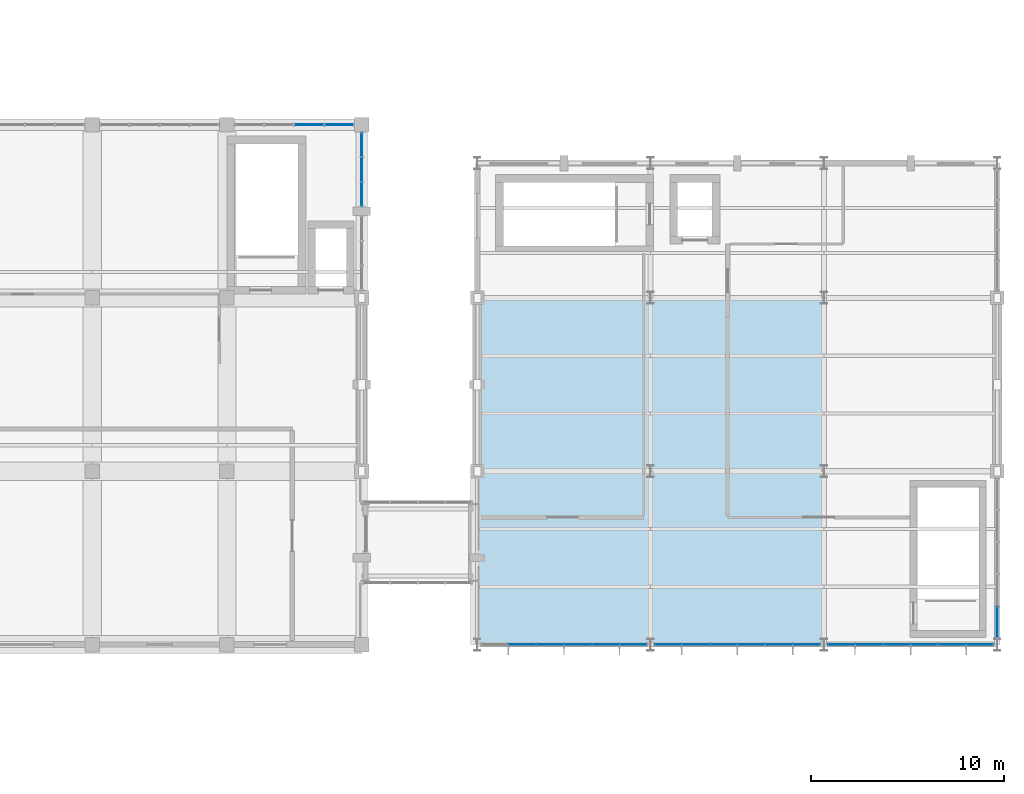
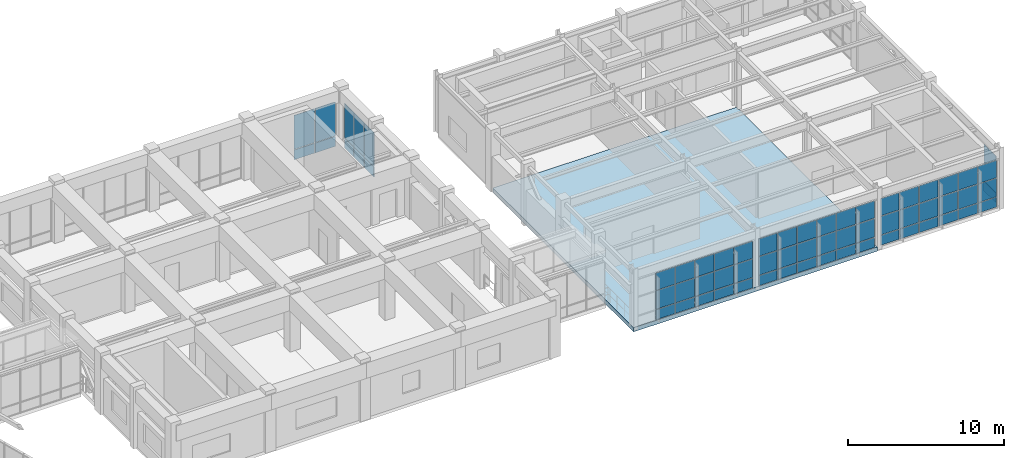
# One storey, part 77 of 99: 64 plates, 1 slab, 6 elements without a shape of their own.
"""IFC4 building model written with IfcOpenShell, lengths in metres."""

from ifc_helpers import new_model, si_unit, direction, frame, origin, origin_2d, place, context, subcontext, project, spatial, polyline, rectangle, outline, extrude, material, layer, layer_set, type_object, element, aggregate, save


model = new_model("IFC4")

# Units and contexts
model_context = context("Model", 3, precision=1e-05, world=origin(), true_north=direction((0.0, 1.0)))
body_context = subcontext(model_context, "Body", "Model", "MODEL_VIEW")
ifc_project = project(units=[si_unit("LENGTHUNIT", "METRE"), si_unit("AREAUNIT", "SQUARE_METRE"), si_unit("VOLUMEUNIT", "CUBIC_METRE"), si_unit("PLANEANGLEUNIT", "RADIAN"), si_unit("MASSUNIT", "GRAM", prefix="KILO")], contexts=[model_context])

# Site, building, storey
site_placement = place(None, origin())
site = spatial("IfcSite", under=ifc_project, at=site_placement, CompositionType="ELEMENT")
building_placement = place(site_placement, origin())
building = spatial("IfcBuilding", under=site, at=building_placement, Name="Ventoquebrada Cableway Terminal", CompositionType="ELEMENT")
storey_placement = place(building_placement, frame((0.0, 0.0, 9.60009765625)))
storey = spatial("IfcBuildingStorey", under=building, at=storey_placement, Name="L02", CompositionType="ELEMENT", Elevation=9.60009765625)

# Curtain wall, plate
ifc_material_1 = material(Name="Anodized thermally-broken aluminium", Category="aluminium")
ifc_layer_1 = layer(ifc_material_1, 0.159912109375)
ifc_layer_set_1 = layer_set([ifc_layer_1], Name="Anodized thermally-broken aluminium")
curtain_wall_type_1 = type_object("IfcCurtainWallType", Name="CW-T28", PredefinedType="USERDEFINED", material=ifc_layer_set_1)
curtain_wall_1_placement = place(storey_placement, origin())
curtain_wall_1 = element("IfcCurtainWall", 1, at=curtain_wall_1_placement, inside=storey, type_object=curtain_wall_type_1, Name="Unitised glazed curtain wall CW-068", ObjectType="UNITISED CURTAIN WALL", PredefinedType="USERDEFINED")
ifc_material_2 = material(Name="Double low-e laminated safety glazing", Category="glass")
ifc_layer_2 = layer(ifc_material_2, 0.031982421875)
ifc_layer_set_2 = layer_set([ifc_layer_2], Name="Double low-e laminated safety glazing")
plate_type_1 = type_object("IfcPlateType", Name="CWP-GL1", PredefinedType="CURTAIN_PANEL", material=ifc_layer_set_2)
plate_1_placement = place(storey_placement, frame((123.0, 101.675048828125, 0.874267578125), z_axis=(0.0, 0.0, 1.0), x_axis=(0.0, 1.0, 0.0)))
plate_1 = element("IfcPlate", 2, at=plate_1_placement, type_object=plate_type_1, Name="Vision glazing panel PN-0674", PredefinedType="CURTAIN_PANEL", context=body_context, shape_type="SweptSolid", body=[
    extrude(rectangle(XDim=1.248046875, YDim=0.031982421875, at=origin_2d()), origin(), (0.0, 0.0, 1.0), 2.64111328125),
])

ifc_layer_3 = layer(ifc_material_1, 0.159912109375)
ifc_layer_set_3 = layer_set([ifc_layer_3], Name="Anodized thermally-broken aluminium")
curtain_wall_type_2 = type_object("IfcCurtainWallType", Name="CW-T29", PredefinedType="USERDEFINED", material=ifc_layer_set_3)
curtain_wall_2_placement = place(storey_placement, origin())
curtain_wall_2 = element("IfcCurtainWall", 3, at=curtain_wall_2_placement, inside=storey, type_object=curtain_wall_type_2, Name="Unitised glazed curtain wall CW-072", ObjectType="UNITISED CURTAIN WALL", PredefinedType="USERDEFINED")
plate_2_placement = place(storey_placement, frame((120.280029296875, 104.0, 0.874267578125), z_axis=(0.0, 0.0, 1.0), x_axis=(-1.0, 0.0, 0.0)))
plate_2 = element("IfcPlate", 4, at=plate_2_placement, type_object=plate_type_1, Name="Vision glazing panel PN-0704", PredefinedType="CURTAIN_PANEL", context=body_context, shape_type="SweptSolid", body=[
    extrude(rectangle(XDim=1.510986328125, YDim=0.031982421875, at=origin_2d()), origin(), (0.0, 0.0, 1.0), 2.64111328125),
])

# Curtain wall, plates
ifc_layer_4 = layer(ifc_material_1, 0.159912109375)
ifc_layer_set_4 = layer_set([ifc_layer_4], Name="Anodized thermally-broken aluminium")
curtain_wall_type_3 = type_object("IfcCurtainWallType", Name="CW-T33", PredefinedType="USERDEFINED", material=ifc_layer_set_4)
curtain_wall_3_placement = place(storey_placement, origin())
curtain_wall_3 = element("IfcCurtainWall", 5, at=curtain_wall_3_placement, inside=storey, type_object=curtain_wall_type_3, Name="Unitised glazed curtain wall CW-078", ObjectType="UNITISED CURTAIN WALL", PredefinedType="USERDEFINED")
plate_3_placement = place(storey_placement, frame((131.333984375, 77.0, 0.873779296875), z_axis=(0.0, 0.0, 1.0), x_axis=(1.0, 0.0, 0.0)))
plate_3 = element("IfcPlate", 6, at=plate_3_placement, type_object=plate_type_1, Name="Vision glazing panel PN-0794", PredefinedType="CURTAIN_PANEL", context=body_context, shape_type="SweptSolid", body=[
    extrude(rectangle(XDim=1.39501953125, YDim=0.031982421875, at=origin_2d()), origin(), (0.0, 0.0, 1.0), 1.43408203125),
])
plate_4_placement = place(storey_placement, frame((132.778076171875, 77.0, 2.35693359375), z_axis=(0.0, 0.0, 1.0), x_axis=(1.0, 0.0, 0.0)))
plate_4 = element("IfcPlate", 7, at=plate_4_placement, type_object=plate_type_1, Name="Vision glazing panel PN-0798", PredefinedType="CURTAIN_PANEL", context=body_context, shape_type="SweptSolid", body=[
    extrude(rectangle(XDim=1.39501953125, YDim=0.031982421875, at=origin_2d()), origin(), (0.0, 0.0, 1.0), 1.345947265625),
])
plate_5_placement = place(storey_placement, frame((134.221923828125, 77.0, 0.873779296875), z_axis=(0.0, 0.0, 1.0), x_axis=(1.0, 0.0, 0.0)))
plate_5 = element("IfcPlate", 8, at=plate_5_placement, type_object=plate_type_1, Name="Vision glazing panel PN-0800", PredefinedType="CURTAIN_PANEL", context=body_context, shape_type="SweptSolid", body=[
    extrude(rectangle(XDim=1.39501953125, YDim=0.031982421875, at=origin_2d()), origin(), (0.0, 0.0, 1.0), 1.43408203125),
])
plate_6_placement = place(storey_placement, frame((135.666015625, 77.0, 2.35693359375), z_axis=(0.0, 0.0, 1.0), x_axis=(1.0, 0.0, 0.0)))
plate_6 = element("IfcPlate", 9, at=plate_6_placement, type_object=plate_type_1, Name="Vision glazing panel PN-0804", PredefinedType="CURTAIN_PANEL", context=body_context, shape_type="SweptSolid", body=[
    extrude(rectangle(XDim=1.39501953125, YDim=0.031982421875, at=origin_2d()), origin(), (0.0, 0.0, 1.0), 1.345947265625),
])
plate_7_placement = place(storey_placement, frame((137.091064453125, 77.0, 0.873779296875), z_axis=(0.0, 0.0, 1.0), x_axis=(1.0, 0.0, 0.0)))
plate_7 = element("IfcPlate", 10, at=plate_7_placement, type_object=plate_type_1, Name="Vision glazing panel PN-0806", PredefinedType="CURTAIN_PANEL", context=body_context, shape_type="SweptSolid", body=[
    extrude(rectangle(XDim=1.360107421875, YDim=0.031982421875, at=origin_2d()), origin(), (0.0, 0.0, 1.0), 1.43408203125),
])

curtain_wall_4_placement = place(storey_placement, origin())
curtain_wall_4 = element("IfcCurtainWall", 11, at=curtain_wall_4_placement, inside=storey, type_object=curtain_wall_type_3, Name="Unitised glazed curtain wall CW-079", ObjectType="UNITISED CURTAIN WALL", PredefinedType="USERDEFINED")
plate_8_placement = place(storey_placement, frame((138.908935546875, 77.0, 2.35693359375), z_axis=(0.0, 0.0, 1.0), x_axis=(1.0, 0.0, 0.0)))
plate_8 = element("IfcPlate", 12, at=plate_8_placement, type_object=plate_type_1, Name="Vision glazing panel PN-0810", PredefinedType="CURTAIN_PANEL", context=body_context, shape_type="SweptSolid", body=[
    extrude(rectangle(XDim=1.360107421875, YDim=0.031982421875, at=origin_2d()), origin(), (0.0, 0.0, 1.0), 1.345947265625),
])
plate_9_placement = place(storey_placement, frame((140.333984375, 77.0, 0.873779296875), z_axis=(0.0, 0.0, 1.0), x_axis=(1.0, 0.0, 0.0)))
plate_9 = element("IfcPlate", 13, at=plate_9_placement, type_object=plate_type_1, Name="Vision glazing panel PN-0812", PredefinedType="CURTAIN_PANEL", context=body_context, shape_type="SweptSolid", body=[
    extrude(rectangle(XDim=1.39501953125, YDim=0.031982421875, at=origin_2d()), origin(), (0.0, 0.0, 1.0), 1.43408203125),
])
plate_10_placement = place(storey_placement, frame((141.778076171875, 77.0, 2.35693359375), z_axis=(0.0, 0.0, 1.0), x_axis=(1.0, 0.0, 0.0)))
plate_10 = element("IfcPlate", 14, at=plate_10_placement, type_object=plate_type_1, Name="Vision glazing panel PN-0816", PredefinedType="CURTAIN_PANEL", context=body_context, shape_type="SweptSolid", body=[
    extrude(rectangle(XDim=1.39501953125, YDim=0.031982421875, at=origin_2d()), origin(), (0.0, 0.0, 1.0), 1.345947265625),
])
plate_11_placement = place(storey_placement, frame((143.221923828125, 77.0, 0.873779296875), z_axis=(0.0, 0.0, 1.0), x_axis=(1.0, 0.0, 0.0)))
plate_11 = element("IfcPlate", 15, at=plate_11_placement, type_object=plate_type_1, Name="Vision glazing panel PN-0818", PredefinedType="CURTAIN_PANEL", context=body_context, shape_type="SweptSolid", body=[
    extrude(rectangle(XDim=1.39501953125, YDim=0.031982421875, at=origin_2d()), origin(), (0.0, 0.0, 1.0), 1.43408203125),
])
plate_12_placement = place(storey_placement, frame((144.666015625, 77.0, 2.35693359375), z_axis=(0.0, 0.0, 1.0), x_axis=(1.0, 0.0, 0.0)))
plate_12 = element("IfcPlate", 16, at=plate_12_placement, type_object=plate_type_1, Name="Vision glazing panel PN-0822", PredefinedType="CURTAIN_PANEL", context=body_context, shape_type="SweptSolid", body=[
    extrude(rectangle(XDim=1.39501953125, YDim=0.031982421875, at=origin_2d()), origin(), (0.0, 0.0, 1.0), 1.345947265625),
])
plate_13_placement = place(storey_placement, frame((146.091064453125, 77.0, 0.873779296875), z_axis=(0.0, 0.0, 1.0), x_axis=(1.0, 0.0, 0.0)))
plate_13 = element("IfcPlate", 17, at=plate_13_placement, type_object=plate_type_1, Name="Vision glazing panel PN-0824", PredefinedType="CURTAIN_PANEL", context=body_context, shape_type="SweptSolid", body=[
    extrude(rectangle(XDim=1.360107421875, YDim=0.031982421875, at=origin_2d()), origin(), (0.0, 0.0, 1.0), 1.43408203125),
])

curtain_wall_5_placement = place(storey_placement, origin())
curtain_wall_5 = element("IfcCurtainWall", 18, at=curtain_wall_5_placement, inside=storey, type_object=curtain_wall_type_3, Name="Unitised glazed curtain wall CW-080", ObjectType="UNITISED CURTAIN WALL", PredefinedType="USERDEFINED")
plate_14_placement = place(storey_placement, frame((147.908935546875, 77.0, 2.35693359375), z_axis=(0.0, 0.0, 1.0), x_axis=(1.0, 0.0, 0.0)))
plate_14 = element("IfcPlate", 19, at=plate_14_placement, type_object=plate_type_1, Name="Vision glazing panel PN-0828", PredefinedType="CURTAIN_PANEL", context=body_context, shape_type="SweptSolid", body=[
    extrude(rectangle(XDim=1.360107421875, YDim=0.031982421875, at=origin_2d()), origin(), (0.0, 0.0, 1.0), 1.345947265625),
])
plate_15_placement = place(storey_placement, frame((149.333984375, 77.0, 0.873779296875), z_axis=(0.0, 0.0, 1.0), x_axis=(1.0, 0.0, 0.0)))
plate_15 = element("IfcPlate", 20, at=plate_15_placement, type_object=plate_type_1, Name="Vision glazing panel PN-0830", PredefinedType="CURTAIN_PANEL", context=body_context, shape_type="SweptSolid", body=[
    extrude(rectangle(XDim=1.39501953125, YDim=0.031982421875, at=origin_2d()), origin(), (0.0, 0.0, 1.0), 1.43408203125),
])
plate_16_placement = place(storey_placement, frame((150.778076171875, 77.0, 2.35693359375), z_axis=(0.0, 0.0, 1.0), x_axis=(1.0, 0.0, 0.0)))
plate_16 = element("IfcPlate", 21, at=plate_16_placement, type_object=plate_type_1, Name="Vision glazing panel PN-0834", PredefinedType="CURTAIN_PANEL", context=body_context, shape_type="SweptSolid", body=[
    extrude(rectangle(XDim=1.39501953125, YDim=0.031982421875, at=origin_2d()), origin(), (0.0, 0.0, 1.0), 1.345947265625),
])
plate_17_placement = place(storey_placement, frame((152.221923828125, 77.0, 0.873779296875), z_axis=(0.0, 0.0, 1.0), x_axis=(1.0, 0.0, 0.0)))
plate_17 = element("IfcPlate", 22, at=plate_17_placement, type_object=plate_type_1, Name="Vision glazing panel PN-0836", PredefinedType="CURTAIN_PANEL", context=body_context, shape_type="SweptSolid", body=[
    extrude(rectangle(XDim=1.39501953125, YDim=0.031982421875, at=origin_2d()), origin(), (0.0, 0.0, 1.0), 1.43408203125),
])
plate_18_placement = place(storey_placement, frame((153.666015625, 77.0, 2.35693359375), z_axis=(0.0, 0.0, 1.0), x_axis=(1.0, 0.0, 0.0)))
plate_18 = element("IfcPlate", 23, at=plate_18_placement, type_object=plate_type_1, Name="Vision glazing panel PN-0840", PredefinedType="CURTAIN_PANEL", context=body_context, shape_type="SweptSolid", body=[
    extrude(rectangle(XDim=1.39501953125, YDim=0.031982421875, at=origin_2d()), origin(), (0.0, 0.0, 1.0), 1.345947265625),
])
plate_19_placement = place(storey_placement, frame((155.091064453125, 77.0, 0.873779296875), z_axis=(0.0, 0.0, 1.0), x_axis=(1.0, 0.0, 0.0)))
plate_19 = element("IfcPlate", 24, at=plate_19_placement, type_object=plate_type_1, Name="Vision glazing panel PN-0842", PredefinedType="CURTAIN_PANEL", context=body_context, shape_type="SweptSolid", body=[
    extrude(rectangle(XDim=1.360107421875, YDim=0.031982421875, at=origin_2d()), origin(), (0.0, 0.0, 1.0), 1.43408203125),
])

# Curtain wall, plate
ifc_layer_5 = layer(ifc_material_1, 0.159912109375)
ifc_layer_set_5 = layer_set([ifc_layer_5], Name="Anodized thermally-broken aluminium")
curtain_wall_type_4 = type_object("IfcCurtainWallType", Name="CW-T34", PredefinedType="USERDEFINED", material=ifc_layer_set_5)
curtain_wall_6_placement = place(storey_placement, origin())
curtain_wall_6 = element("IfcCurtainWall", 25, at=curtain_wall_6_placement, inside=storey, type_object=curtain_wall_type_4, Name="Unitised glazed curtain wall CW-081", ObjectType="UNITISED CURTAIN WALL", PredefinedType="USERDEFINED")
plate_20_placement = place(storey_placement, frame((156.0, 78.166015625, 2.35693359375), z_axis=(0.0, 0.0, 1.0), x_axis=(0.0, 1.0, 0.0)))
plate_20 = element("IfcPlate", 26, at=plate_20_placement, type_object=plate_type_1, Name="Vision glazing panel PN-0846", PredefinedType="CURTAIN_PANEL", context=body_context, shape_type="SweptSolid", body=[
    extrude(rectangle(XDim=1.58203125, YDim=0.031982421875, at=origin_2d()), origin(), (0.0, 0.0, 1.0), 1.345947265625),
])

# Plate
ifc_layer_6 = layer(ifc_material_2, 0.0380859375)
ifc_layer_set_6 = layer_set([ifc_layer_6], Name="Double low-e laminated safety glazing")
plate_type_2 = type_object("IfcPlateType", Name="CWP-GL2", PredefinedType="CURTAIN_PANEL", material=ifc_layer_set_6)
plate_21_placement = place(storey_placement, frame((123.0, 100.39599609375, 0.874267578125), z_axis=(0.0, 0.0, 1.0), x_axis=(0.0, 1.0, 0.0)))
plate_21 = element("IfcPlate", 27, at=plate_21_placement, type_object=plate_type_2, Name="Vision glazing panel PN-0672", PredefinedType="CURTAIN_PANEL", context=body_context, shape_type="SweptSolid", body=[
    extrude(rectangle(XDim=1.212890625, YDim=0.0380859375, at=origin_2d()), origin(), (0.0, 0.0, 1.0), 2.64111328125),
])

plate_22_placement = place(storey_placement, frame((123.0, 102.9541015625, 0.874267578125), z_axis=(0.0, 0.0, 1.0), x_axis=(0.0, 1.0, 0.0)))
plate_22 = element("IfcPlate", 28, at=plate_22_placement, type_object=plate_type_2, Name="Vision glazing panel PN-0676", PredefinedType="CURTAIN_PANEL", context=body_context, shape_type="SweptSolid", body=[
    extrude(rectangle(XDim=1.212890625, YDim=0.0380859375, at=origin_2d()), origin(), (0.0, 0.0, 1.0), 2.64111328125),
])

plate_23_placement = place(storey_placement, frame((121.822998046875, 104.0, 0.874267578125), z_axis=(0.0, 0.0, 1.0), x_axis=(-1.0, 0.0, 0.0)))
plate_23 = element("IfcPlate", 29, at=plate_23_placement, type_object=plate_type_2, Name="Vision glazing panel PN-0702", PredefinedType="CURTAIN_PANEL", context=body_context, shape_type="SweptSolid", body=[
    extrude(rectangle(XDim=1.47607421875, YDim=0.0380859375, at=origin_2d()), origin(), (0.0, 0.0, 1.0), 2.64111328125),
])

plate_24_placement = place(storey_placement, frame((131.333984375, 77.0, 2.35693359375), z_axis=(0.0, 0.0, 1.0), x_axis=(1.0, 0.0, 0.0)))
plate_24 = element("IfcPlate", 30, at=plate_24_placement, type_object=plate_type_2, Name="Vision glazing panel PN-0795", PredefinedType="CURTAIN_PANEL", context=body_context, shape_type="SweptSolid", body=[
    extrude(rectangle(XDim=1.39501953125, YDim=0.0380859375, at=origin_2d()), origin(), (0.0, 0.0, 1.0), 1.345947265625),
])

plate_25_placement = place(storey_placement, frame((132.778076171875, 77.0, 0.873779296875), z_axis=(0.0, 0.0, 1.0), x_axis=(1.0, 0.0, 0.0)))
plate_25 = element("IfcPlate", 31, at=plate_25_placement, type_object=plate_type_2, Name="Vision glazing panel PN-0797", PredefinedType="CURTAIN_PANEL", context=body_context, shape_type="SweptSolid", body=[
    extrude(rectangle(XDim=1.39501953125, YDim=0.0380859375, at=origin_2d()), origin(), (0.0, 0.0, 1.0), 1.43408203125),
])

plate_26_placement = place(storey_placement, frame((134.221923828125, 77.0, 2.35693359375), z_axis=(0.0, 0.0, 1.0), x_axis=(1.0, 0.0, 0.0)))
plate_26 = element("IfcPlate", 32, at=plate_26_placement, type_object=plate_type_2, Name="Vision glazing panel PN-0801", PredefinedType="CURTAIN_PANEL", context=body_context, shape_type="SweptSolid", body=[
    extrude(rectangle(XDim=1.39501953125, YDim=0.0380859375, at=origin_2d()), origin(), (0.0, 0.0, 1.0), 1.345947265625),
])

plate_27_placement = place(storey_placement, frame((135.666015625, 77.0, 0.873779296875), z_axis=(0.0, 0.0, 1.0), x_axis=(1.0, 0.0, 0.0)))
plate_27 = element("IfcPlate", 33, at=plate_27_placement, type_object=plate_type_2, Name="Vision glazing panel PN-0803", PredefinedType="CURTAIN_PANEL", context=body_context, shape_type="SweptSolid", body=[
    extrude(rectangle(XDim=1.39501953125, YDim=0.0380859375, at=origin_2d()), origin(), (0.0, 0.0, 1.0), 1.43408203125),
])

plate_28_placement = place(storey_placement, frame((137.091064453125, 77.0, 2.35693359375), z_axis=(0.0, 0.0, 1.0), x_axis=(1.0, 0.0, 0.0)))
plate_28 = element("IfcPlate", 34, at=plate_28_placement, type_object=plate_type_2, Name="Vision glazing panel PN-0807", PredefinedType="CURTAIN_PANEL", context=body_context, shape_type="SweptSolid", body=[
    extrude(rectangle(XDim=1.360107421875, YDim=0.0380859375, at=origin_2d()), origin(), (0.0, 0.0, 1.0), 1.345947265625),
])

plate_29_placement = place(storey_placement, frame((138.908935546875, 77.0, 0.873779296875), z_axis=(0.0, 0.0, 1.0), x_axis=(1.0, 0.0, 0.0)))
plate_29 = element("IfcPlate", 35, at=plate_29_placement, type_object=plate_type_2, Name="Vision glazing panel PN-0809", PredefinedType="CURTAIN_PANEL", context=body_context, shape_type="SweptSolid", body=[
    extrude(rectangle(XDim=1.360107421875, YDim=0.0380859375, at=origin_2d()), origin(), (0.0, 0.0, 1.0), 1.43408203125),
])

plate_30_placement = place(storey_placement, frame((140.333984375, 77.0, 2.35693359375), z_axis=(0.0, 0.0, 1.0), x_axis=(1.0, 0.0, 0.0)))
plate_30 = element("IfcPlate", 36, at=plate_30_placement, type_object=plate_type_2, Name="Vision glazing panel PN-0813", PredefinedType="CURTAIN_PANEL", context=body_context, shape_type="SweptSolid", body=[
    extrude(rectangle(XDim=1.39501953125, YDim=0.0380859375, at=origin_2d()), origin(), (0.0, 0.0, 1.0), 1.345947265625),
])

plate_31_placement = place(storey_placement, frame((141.778076171875, 77.0, 0.873779296875), z_axis=(0.0, 0.0, 1.0), x_axis=(1.0, 0.0, 0.0)))
plate_31 = element("IfcPlate", 37, at=plate_31_placement, type_object=plate_type_2, Name="Vision glazing panel PN-0815", PredefinedType="CURTAIN_PANEL", context=body_context, shape_type="SweptSolid", body=[
    extrude(rectangle(XDim=1.39501953125, YDim=0.0380859375, at=origin_2d()), origin(), (0.0, 0.0, 1.0), 1.43408203125),
])

plate_32_placement = place(storey_placement, frame((143.221923828125, 77.0, 2.35693359375), z_axis=(0.0, 0.0, 1.0), x_axis=(1.0, 0.0, 0.0)))
plate_32 = element("IfcPlate", 38, at=plate_32_placement, type_object=plate_type_2, Name="Vision glazing panel PN-0819", PredefinedType="CURTAIN_PANEL", context=body_context, shape_type="SweptSolid", body=[
    extrude(rectangle(XDim=1.39501953125, YDim=0.0380859375, at=origin_2d()), origin(), (0.0, 0.0, 1.0), 1.345947265625),
])

plate_33_placement = place(storey_placement, frame((144.666015625, 77.0, 0.873779296875), z_axis=(0.0, 0.0, 1.0), x_axis=(1.0, 0.0, 0.0)))
plate_33 = element("IfcPlate", 39, at=plate_33_placement, type_object=plate_type_2, Name="Vision glazing panel PN-0821", PredefinedType="CURTAIN_PANEL", context=body_context, shape_type="SweptSolid", body=[
    extrude(rectangle(XDim=1.39501953125, YDim=0.0380859375, at=origin_2d()), origin(), (0.0, 0.0, 1.0), 1.43408203125),
])

plate_34_placement = place(storey_placement, frame((146.091064453125, 77.0, 2.35693359375), z_axis=(0.0, 0.0, 1.0), x_axis=(1.0, 0.0, 0.0)))
plate_34 = element("IfcPlate", 40, at=plate_34_placement, type_object=plate_type_2, Name="Vision glazing panel PN-0825", PredefinedType="CURTAIN_PANEL", context=body_context, shape_type="SweptSolid", body=[
    extrude(rectangle(XDim=1.360107421875, YDim=0.0380859375, at=origin_2d()), origin(), (0.0, 0.0, 1.0), 1.345947265625),
])

plate_35_placement = place(storey_placement, frame((147.908935546875, 77.0, 0.873779296875), z_axis=(0.0, 0.0, 1.0), x_axis=(1.0, 0.0, 0.0)))
plate_35 = element("IfcPlate", 41, at=plate_35_placement, type_object=plate_type_2, Name="Vision glazing panel PN-0827", PredefinedType="CURTAIN_PANEL", context=body_context, shape_type="SweptSolid", body=[
    extrude(rectangle(XDim=1.360107421875, YDim=0.0380859375, at=origin_2d()), origin(), (0.0, 0.0, 1.0), 1.43408203125),
])

plate_36_placement = place(storey_placement, frame((149.333984375, 77.0, 2.35693359375), z_axis=(0.0, 0.0, 1.0), x_axis=(1.0, 0.0, 0.0)))
plate_36 = element("IfcPlate", 42, at=plate_36_placement, type_object=plate_type_2, Name="Vision glazing panel PN-0831", PredefinedType="CURTAIN_PANEL", context=body_context, shape_type="SweptSolid", body=[
    extrude(rectangle(XDim=1.39501953125, YDim=0.0380859375, at=origin_2d()), origin(), (0.0, 0.0, 1.0), 1.345947265625),
])

plate_37_placement = place(storey_placement, frame((150.778076171875, 77.0, 0.873779296875), z_axis=(0.0, 0.0, 1.0), x_axis=(1.0, 0.0, 0.0)))
plate_37 = element("IfcPlate", 43, at=plate_37_placement, type_object=plate_type_2, Name="Vision glazing panel PN-0833", PredefinedType="CURTAIN_PANEL", context=body_context, shape_type="SweptSolid", body=[
    extrude(rectangle(XDim=1.39501953125, YDim=0.0380859375, at=origin_2d()), origin(), (0.0, 0.0, 1.0), 1.43408203125),
])

plate_38_placement = place(storey_placement, frame((152.221923828125, 77.0, 2.35693359375), z_axis=(0.0, 0.0, 1.0), x_axis=(1.0, 0.0, 0.0)))
plate_38 = element("IfcPlate", 44, at=plate_38_placement, type_object=plate_type_2, Name="Vision glazing panel PN-0837", PredefinedType="CURTAIN_PANEL", context=body_context, shape_type="SweptSolid", body=[
    extrude(rectangle(XDim=1.39501953125, YDim=0.0380859375, at=origin_2d()), origin(), (0.0, 0.0, 1.0), 1.345947265625),
])

plate_39_placement = place(storey_placement, frame((153.666015625, 77.0, 0.873779296875), z_axis=(0.0, 0.0, 1.0), x_axis=(1.0, 0.0, 0.0)))
plate_39 = element("IfcPlate", 45, at=plate_39_placement, type_object=plate_type_2, Name="Vision glazing panel PN-0839", PredefinedType="CURTAIN_PANEL", context=body_context, shape_type="SweptSolid", body=[
    extrude(rectangle(XDim=1.39501953125, YDim=0.0380859375, at=origin_2d()), origin(), (0.0, 0.0, 1.0), 1.43408203125),
])

plate_40_placement = place(storey_placement, frame((155.091064453125, 77.0, 2.35693359375), z_axis=(0.0, 0.0, 1.0), x_axis=(1.0, 0.0, 0.0)))
plate_40 = element("IfcPlate", 46, at=plate_40_placement, type_object=plate_type_2, Name="Vision glazing panel PN-0843", PredefinedType="CURTAIN_PANEL", context=body_context, shape_type="SweptSolid", body=[
    extrude(rectangle(XDim=1.360107421875, YDim=0.0380859375, at=origin_2d()), origin(), (0.0, 0.0, 1.0), 1.345947265625),
])

plate_41_placement = place(storey_placement, frame((156.0, 78.166015625, 0.873779296875), z_axis=(0.0, 0.0, 1.0), x_axis=(0.0, 1.0, 0.0)))
plate_41 = element("IfcPlate", 47, at=plate_41_placement, type_object=plate_type_2, Name="Vision glazing panel PN-0845", PredefinedType="CURTAIN_PANEL", context=body_context, shape_type="SweptSolid", body=[
    extrude(rectangle(XDim=1.58203125, YDim=0.0380859375, at=origin_2d()), origin(), (0.0, 0.0, 1.0), 1.43408203125),
])

ifc_material_3 = material(Name="Insulated aluminium spandrel cassette", Category="aluminium")
ifc_layer_7 = layer(ifc_material_3, 0.044921875)
ifc_layer_set_7 = layer_set([ifc_layer_7], Name="Insulated aluminium spandrel cassette")
plate_type_3 = type_object("IfcPlateType", Name="CWP-SP1", PredefinedType="CURTAIN_PANEL", material=ifc_layer_set_7)
plate_42_placement = place(storey_placement, frame((123.0, 100.39599609375, 0.059814453125), z_axis=(0.0, 0.0, 1.0), x_axis=(0.0, 1.0, 0.0)))
plate_42 = element("IfcPlate", 48, at=plate_42_placement, type_object=plate_type_3, Name="Insulated spandrel panel PN-0671", PredefinedType="CURTAIN_PANEL", context=body_context, shape_type="SweptSolid", body=[
    extrude(rectangle(XDim=1.212890625, YDim=0.044921875, at=origin_2d()), origin(), (0.0, 0.0, 1.0), 0.76611328125),
])

plate_43_placement = place(storey_placement, frame((123.0, 101.675048828125, 0.059814453125), z_axis=(0.0, 0.0, 1.0), x_axis=(0.0, 1.0, 0.0)))
plate_43 = element("IfcPlate", 49, at=plate_43_placement, type_object=plate_type_3, Name="Insulated spandrel panel PN-0673", PredefinedType="CURTAIN_PANEL", context=body_context, shape_type="SweptSolid", body=[
    extrude(rectangle(XDim=1.248046875, YDim=0.044921875, at=origin_2d()), origin(), (0.0, 0.0, 1.0), 0.76611328125),
])

plate_44_placement = place(storey_placement, frame((123.0, 102.9541015625, 0.059814453125), z_axis=(0.0, 0.0, 1.0), x_axis=(0.0, 1.0, 0.0)))
plate_44 = element("IfcPlate", 50, at=plate_44_placement, type_object=plate_type_3, Name="Insulated spandrel panel PN-0675", PredefinedType="CURTAIN_PANEL", context=body_context, shape_type="SweptSolid", body=[
    extrude(rectangle(XDim=1.212890625, YDim=0.044921875, at=origin_2d()), origin(), (0.0, 0.0, 1.0), 0.76611328125),
])

aggregate(curtain_wall_1, [plate_42, plate_21, plate_43, plate_1, plate_44, plate_22])

plate_45_placement = place(storey_placement, frame((121.822998046875, 104.0, 0.059814453125), z_axis=(0.0, 0.0, 1.0), x_axis=(-1.0, 0.0, 0.0)))
plate_45 = element("IfcPlate", 51, at=plate_45_placement, type_object=plate_type_3, Name="Insulated spandrel panel PN-0701", PredefinedType="CURTAIN_PANEL", context=body_context, shape_type="SweptSolid", body=[
    extrude(rectangle(XDim=1.47607421875, YDim=0.044921875, at=origin_2d()), origin(), (0.0, 0.0, 1.0), 0.76611328125),
])

plate_46_placement = place(storey_placement, frame((120.280029296875, 104.0, 0.059814453125), z_axis=(0.0, 0.0, 1.0), x_axis=(-1.0, 0.0, 0.0)))
plate_46 = element("IfcPlate", 52, at=plate_46_placement, type_object=plate_type_3, Name="Insulated spandrel panel PN-0703", PredefinedType="CURTAIN_PANEL", context=body_context, shape_type="SweptSolid", body=[
    extrude(rectangle(XDim=1.510986328125, YDim=0.044921875, at=origin_2d()), origin(), (0.0, 0.0, 1.0), 0.76611328125),
])

aggregate(curtain_wall_2, [plate_45, plate_23, plate_46, plate_2])

plate_47_placement = place(storey_placement, frame((131.333984375, 77.0, 0.059814453125), z_axis=(0.0, 0.0, 1.0), x_axis=(1.0, 0.0, 0.0)))
plate_47 = element("IfcPlate", 53, at=plate_47_placement, type_object=plate_type_3, Name="Insulated spandrel panel PN-0793", PredefinedType="CURTAIN_PANEL", context=body_context, shape_type="SweptSolid", body=[
    extrude(rectangle(XDim=1.39501953125, YDim=0.044921875, at=origin_2d()), origin(), (0.0, 0.0, 1.0), 0.76611328125),
])

plate_48_placement = place(storey_placement, frame((132.778076171875, 77.0, 0.059814453125), z_axis=(0.0, 0.0, 1.0), x_axis=(1.0, 0.0, 0.0)))
plate_48 = element("IfcPlate", 54, at=plate_48_placement, type_object=plate_type_3, Name="Insulated spandrel panel PN-0796", PredefinedType="CURTAIN_PANEL", context=body_context, shape_type="SweptSolid", body=[
    extrude(rectangle(XDim=1.39501953125, YDim=0.044921875, at=origin_2d()), origin(), (0.0, 0.0, 1.0), 0.76611328125),
])

plate_49_placement = place(storey_placement, frame((134.221923828125, 77.0, 0.059814453125), z_axis=(0.0, 0.0, 1.0), x_axis=(1.0, 0.0, 0.0)))
plate_49 = element("IfcPlate", 55, at=plate_49_placement, type_object=plate_type_3, Name="Insulated spandrel panel PN-0799", PredefinedType="CURTAIN_PANEL", context=body_context, shape_type="SweptSolid", body=[
    extrude(rectangle(XDim=1.39501953125, YDim=0.044921875, at=origin_2d()), origin(), (0.0, 0.0, 1.0), 0.76611328125),
])

plate_50_placement = place(storey_placement, frame((135.666015625, 77.0, 0.059814453125), z_axis=(0.0, 0.0, 1.0), x_axis=(1.0, 0.0, 0.0)))
plate_50 = element("IfcPlate", 56, at=plate_50_placement, type_object=plate_type_3, Name="Insulated spandrel panel PN-0802", PredefinedType="CURTAIN_PANEL", context=body_context, shape_type="SweptSolid", body=[
    extrude(rectangle(XDim=1.39501953125, YDim=0.044921875, at=origin_2d()), origin(), (0.0, 0.0, 1.0), 0.76611328125),
])

plate_51_placement = place(storey_placement, frame((137.091064453125, 77.0, 0.059814453125), z_axis=(0.0, 0.0, 1.0), x_axis=(1.0, 0.0, 0.0)))
plate_51 = element("IfcPlate", 57, at=plate_51_placement, type_object=plate_type_3, Name="Insulated spandrel panel PN-0805", PredefinedType="CURTAIN_PANEL", context=body_context, shape_type="SweptSolid", body=[
    extrude(rectangle(XDim=1.360107421875, YDim=0.044921875, at=origin_2d()), origin(), (0.0, 0.0, 1.0), 0.76611328125),
])

aggregate(curtain_wall_3, [plate_47, plate_3, plate_24, plate_48, plate_25, plate_4, plate_49, plate_5, plate_26, plate_50, plate_27, plate_6, plate_51, plate_7, plate_28])

plate_52_placement = place(storey_placement, frame((138.908935546875, 77.0, 0.059814453125), z_axis=(0.0, 0.0, 1.0), x_axis=(1.0, 0.0, 0.0)))
plate_52 = element("IfcPlate", 58, at=plate_52_placement, type_object=plate_type_3, Name="Insulated spandrel panel PN-0808", PredefinedType="CURTAIN_PANEL", context=body_context, shape_type="SweptSolid", body=[
    extrude(rectangle(XDim=1.360107421875, YDim=0.044921875, at=origin_2d()), origin(), (0.0, 0.0, 1.0), 0.76611328125),
])

plate_53_placement = place(storey_placement, frame((140.333984375, 77.0, 0.059814453125), z_axis=(0.0, 0.0, 1.0), x_axis=(1.0, 0.0, 0.0)))
plate_53 = element("IfcPlate", 59, at=plate_53_placement, type_object=plate_type_3, Name="Insulated spandrel panel PN-0811", PredefinedType="CURTAIN_PANEL", context=body_context, shape_type="SweptSolid", body=[
    extrude(rectangle(XDim=1.39501953125, YDim=0.044921875, at=origin_2d()), origin(), (0.0, 0.0, 1.0), 0.76611328125),
])

plate_54_placement = place(storey_placement, frame((141.778076171875, 77.0, 0.059814453125), z_axis=(0.0, 0.0, 1.0), x_axis=(1.0, 0.0, 0.0)))
plate_54 = element("IfcPlate", 60, at=plate_54_placement, type_object=plate_type_3, Name="Insulated spandrel panel PN-0814", PredefinedType="CURTAIN_PANEL", context=body_context, shape_type="SweptSolid", body=[
    extrude(rectangle(XDim=1.39501953125, YDim=0.044921875, at=origin_2d()), origin(), (0.0, 0.0, 1.0), 0.76611328125),
])

plate_55_placement = place(storey_placement, frame((143.221923828125, 77.0, 0.059814453125), z_axis=(0.0, 0.0, 1.0), x_axis=(1.0, 0.0, 0.0)))
plate_55 = element("IfcPlate", 61, at=plate_55_placement, type_object=plate_type_3, Name="Insulated spandrel panel PN-0817", PredefinedType="CURTAIN_PANEL", context=body_context, shape_type="SweptSolid", body=[
    extrude(rectangle(XDim=1.39501953125, YDim=0.044921875, at=origin_2d()), origin(), (0.0, 0.0, 1.0), 0.76611328125),
])

plate_56_placement = place(storey_placement, frame((144.666015625, 77.0, 0.059814453125), z_axis=(0.0, 0.0, 1.0), x_axis=(1.0, 0.0, 0.0)))
plate_56 = element("IfcPlate", 62, at=plate_56_placement, type_object=plate_type_3, Name="Insulated spandrel panel PN-0820", PredefinedType="CURTAIN_PANEL", context=body_context, shape_type="SweptSolid", body=[
    extrude(rectangle(XDim=1.39501953125, YDim=0.044921875, at=origin_2d()), origin(), (0.0, 0.0, 1.0), 0.76611328125),
])

plate_57_placement = place(storey_placement, frame((146.091064453125, 77.0, 0.059814453125), z_axis=(0.0, 0.0, 1.0), x_axis=(1.0, 0.0, 0.0)))
plate_57 = element("IfcPlate", 63, at=plate_57_placement, type_object=plate_type_3, Name="Insulated spandrel panel PN-0823", PredefinedType="CURTAIN_PANEL", context=body_context, shape_type="SweptSolid", body=[
    extrude(rectangle(XDim=1.360107421875, YDim=0.044921875, at=origin_2d()), origin(), (0.0, 0.0, 1.0), 0.76611328125),
])

aggregate(curtain_wall_4, [plate_52, plate_29, plate_8, plate_53, plate_9, plate_30, plate_54, plate_31, plate_10, plate_55, plate_11, plate_32, plate_56, plate_33, plate_12, plate_57, plate_13, plate_34])

plate_58_placement = place(storey_placement, frame((147.908935546875, 77.0, 0.059814453125), z_axis=(0.0, 0.0, 1.0), x_axis=(1.0, 0.0, 0.0)))
plate_58 = element("IfcPlate", 64, at=plate_58_placement, type_object=plate_type_3, Name="Insulated spandrel panel PN-0826", PredefinedType="CURTAIN_PANEL", context=body_context, shape_type="SweptSolid", body=[
    extrude(rectangle(XDim=1.360107421875, YDim=0.044921875, at=origin_2d()), origin(), (0.0, 0.0, 1.0), 0.76611328125),
])

plate_59_placement = place(storey_placement, frame((149.333984375, 77.0, 0.059814453125), z_axis=(0.0, 0.0, 1.0), x_axis=(1.0, 0.0, 0.0)))
plate_59 = element("IfcPlate", 65, at=plate_59_placement, type_object=plate_type_3, Name="Insulated spandrel panel PN-0829", PredefinedType="CURTAIN_PANEL", context=body_context, shape_type="SweptSolid", body=[
    extrude(rectangle(XDim=1.39501953125, YDim=0.044921875, at=origin_2d()), origin(), (0.0, 0.0, 1.0), 0.76611328125),
])

plate_60_placement = place(storey_placement, frame((150.778076171875, 77.0, 0.059814453125), z_axis=(0.0, 0.0, 1.0), x_axis=(1.0, 0.0, 0.0)))
plate_60 = element("IfcPlate", 66, at=plate_60_placement, type_object=plate_type_3, Name="Insulated spandrel panel PN-0832", PredefinedType="CURTAIN_PANEL", context=body_context, shape_type="SweptSolid", body=[
    extrude(rectangle(XDim=1.39501953125, YDim=0.044921875, at=origin_2d()), origin(), (0.0, 0.0, 1.0), 0.76611328125),
])

plate_61_placement = place(storey_placement, frame((152.221923828125, 77.0, 0.059814453125), z_axis=(0.0, 0.0, 1.0), x_axis=(1.0, 0.0, 0.0)))
plate_61 = element("IfcPlate", 67, at=plate_61_placement, type_object=plate_type_3, Name="Insulated spandrel panel PN-0835", PredefinedType="CURTAIN_PANEL", context=body_context, shape_type="SweptSolid", body=[
    extrude(rectangle(XDim=1.39501953125, YDim=0.044921875, at=origin_2d()), origin(), (0.0, 0.0, 1.0), 0.76611328125),
])

plate_62_placement = place(storey_placement, frame((153.666015625, 77.0, 0.059814453125), z_axis=(0.0, 0.0, 1.0), x_axis=(1.0, 0.0, 0.0)))
plate_62 = element("IfcPlate", 68, at=plate_62_placement, type_object=plate_type_3, Name="Insulated spandrel panel PN-0838", PredefinedType="CURTAIN_PANEL", context=body_context, shape_type="SweptSolid", body=[
    extrude(rectangle(XDim=1.39501953125, YDim=0.044921875, at=origin_2d()), origin(), (0.0, 0.0, 1.0), 0.76611328125),
])

plate_63_placement = place(storey_placement, frame((155.091064453125, 77.0, 0.059814453125), z_axis=(0.0, 0.0, 1.0), x_axis=(1.0, 0.0, 0.0)))
plate_63 = element("IfcPlate", 69, at=plate_63_placement, type_object=plate_type_3, Name="Insulated spandrel panel PN-0841", PredefinedType="CURTAIN_PANEL", context=body_context, shape_type="SweptSolid", body=[
    extrude(rectangle(XDim=1.360107421875, YDim=0.044921875, at=origin_2d()), origin(), (0.0, 0.0, 1.0), 0.76611328125),
])

aggregate(curtain_wall_5, [plate_58, plate_35, plate_14, plate_59, plate_15, plate_36, plate_60, plate_37, plate_16, plate_61, plate_17, plate_38, plate_62, plate_39, plate_18, plate_63, plate_19, plate_40])

plate_64_placement = place(storey_placement, frame((156.0, 78.166015625, 0.059814453125), z_axis=(0.0, 0.0, 1.0), x_axis=(0.0, 1.0, 0.0)))
plate_64 = element("IfcPlate", 70, at=plate_64_placement, type_object=plate_type_3, Name="Insulated spandrel panel PN-0844", PredefinedType="CURTAIN_PANEL", context=body_context, shape_type="SweptSolid", body=[
    extrude(rectangle(XDim=1.58203125, YDim=0.044921875, at=origin_2d()), origin(), (0.0, 0.0, 1.0), 0.76611328125),
])

aggregate(curtain_wall_6, [plate_64, plate_41, plate_20])

# Slab
ifc_material_4 = material(Name="Concrete C40/50", Category="concrete")
ifc_layer_8 = layer(ifc_material_4, 0.324951171875)
ifc_layer_set_8 = layer_set([ifc_layer_8], Name="Concrete C40/50")
slab_type = type_object("IfcSlabType", Name="SL-DK1", PredefinedType="FLOOR", material=ifc_layer_set_8)
slab_placement = place(storey_placement, frame((0.0, 0.0, -0.3251953125)))
element("IfcSlab", 71, at=slab_placement, inside=storey, type_object=slab_type, Name="Reinforced concrete floor slab SL-059", PredefinedType="FLOOR", context=body_context, shape_type="SweptSolid", body=[
    extrude(outline(polyline([(147.0, 77.0), (147.0, 95.0), (129.0, 95.0), (129.0, 77.0), (147.0, 77.0)])), origin(), (0.0, 0.0, 1.0), 0.3251953125),
])

save(model, "model.ifc")
